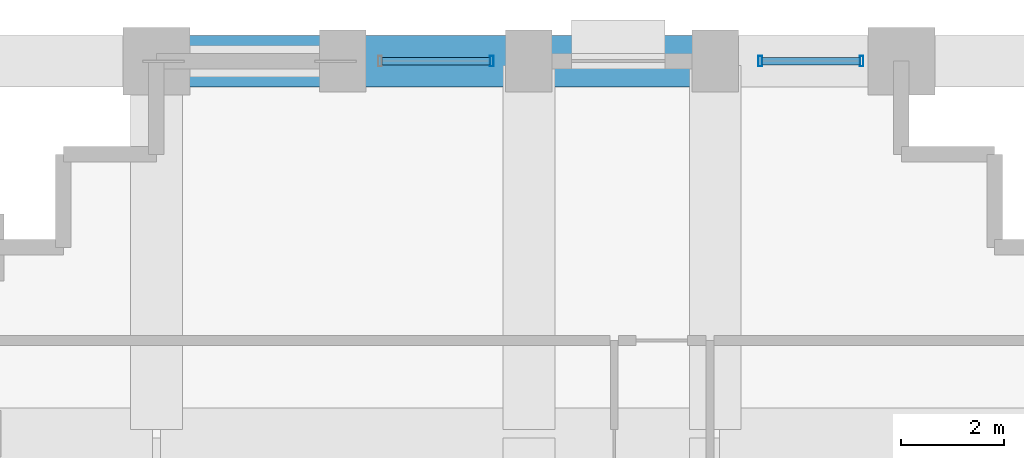
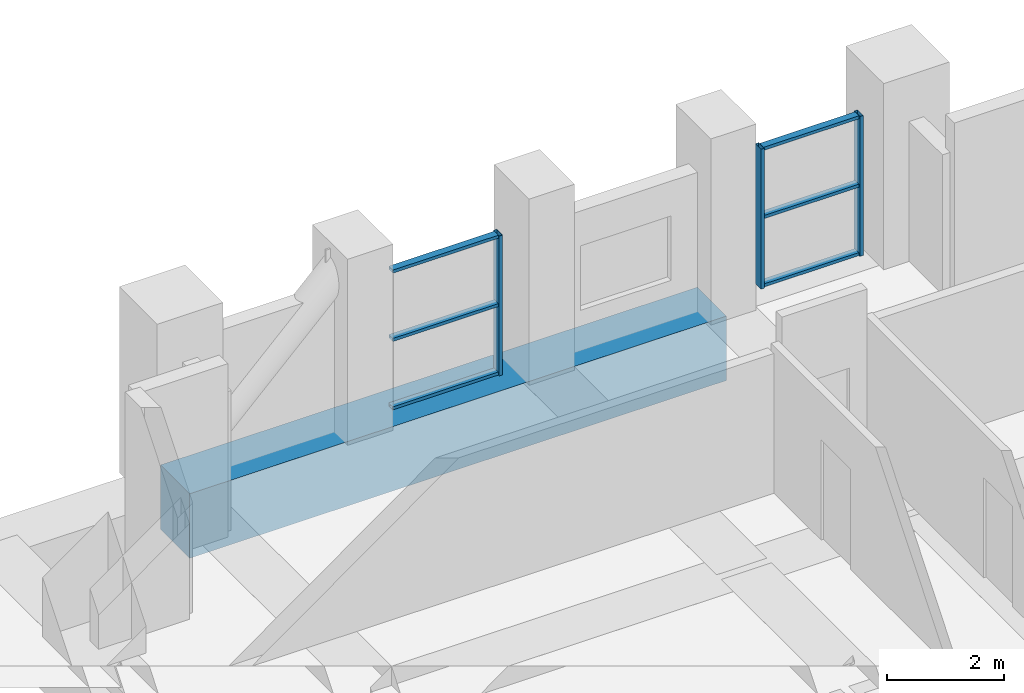
# One storey, part 29 of 39: 9 members, 1 beam, 2 elements without a shape of their own.
"""IFC4 building model written with IfcOpenShell, lengths in metres."""

import ifcopenshell
import ifcopenshell.guid

model = None  # the IFC model being written
_history = None  # IfcOwnerHistory: only IFC2X3 demands one
_inside = {}  # id of a spatial element -> (the spatial element, [elements in it])
_under = {}  # id of a project, library or spatial element -> (it, [spatial elements below it])
_declared = {}  # id of a project -> (the project, [libraries it declares])
_typed = {}  # id of a type object -> (the type object, [elements of that type])
_made_of = {}  # id of a material, layer set ... -> (it, [elements and type objects made of it])


def new_model(schema):
    """Start an empty IFC model of exactly this schema.

    Asked for "IFC4X3", IfcOpenShell would pick the latest addendum, in which some entities
    have other attributes; the version numbers below select the first issue.
    IFC2X3 requires an IfcOwnerHistory on every rooted entity: one is made here for all.
    """
    global model, _history
    if schema == "IFC4X3":
        model = ifcopenshell.file(schema_version=(4, 3, 0, 0))
    else:
        model = ifcopenshell.file(schema=schema)
    _inside.clear()
    _under.clear()
    _declared.clear()
    _typed.clear()
    _made_of.clear()
    _history = None
    if model.schema == "IFC2X3":
        org = make("IfcOrganization", Name="unknown")
        user = make(
            "IfcPersonAndOrganization",
            ThePerson=make("IfcPerson", FamilyName="unknown"),
            TheOrganization=org,
        )
        app = make(
            "IfcApplication",
            ApplicationDeveloper=org,
            Version="unknown",
            ApplicationFullName="unknown",
            ApplicationIdentifier="unknown",
        )
        _history = make(
            "IfcOwnerHistory",
            OwningUser=user,
            OwningApplication=app,
            ChangeAction="ADDED",
            CreationDate=0,
        )
    return model


def make(cls, **values):
    """One entity of the class cls with the attributes given. An attribute that is None is left unset."""
    return model.create_entity(
        cls, **{name: value for name, value in values.items() if value is not None}
    )


def rooted(cls, **values):
    """An entity with a GlobalId (a new one), such as an element, a storey or a relation."""
    return make(cls, GlobalId=ifcopenshell.guid.new(), OwnerHistory=_history, **values)


def si_unit(unit_type, name, prefix=None):
    """IfcSIUnit, for example si_unit("LENGTHUNIT", "METRE", prefix="MILLI")."""
    return make("IfcSIUnit", UnitType=unit_type, Prefix=prefix, Name=name)


def assignment(units):
    """IfcUnitAssignment: the units of a project."""
    return None if units is None else make("IfcUnitAssignment", Units=units)


def point(xyz):
    """IfcCartesianPoint."""
    return None if xyz is None else make("IfcCartesianPoint", Coordinates=xyz)


def direction(xyz):
    """IfcDirection."""
    return None if xyz is None else make("IfcDirection", DirectionRatios=xyz)


def frame(location, z_axis=None, x_axis=None):
    """IfcAxis2Placement3D, a coordinate frame: its origin and axes. An axis left out is left unset."""
    return make(
        "IfcAxis2Placement3D",
        Location=point(location),
        Axis=direction(z_axis),
        RefDirection=direction(x_axis),
    )


def frame_2d(location, x_axis=None):
    """IfcAxis2Placement2D, a coordinate frame in the plane: its origin and x axis."""
    return make(
        "IfcAxis2Placement2D", Location=point(location), RefDirection=direction(x_axis)
    )


def origin():
    """The frame at (0, 0, 0) with its axes left unset."""
    return frame((0.0, 0.0, 0.0))


def origin_2d():
    """The frame at (0, 0) in the plane with its x axis left unset."""
    return frame_2d((0.0, 0.0))


def place(relative_to, where):
    """IfcLocalPlacement: puts the frame where relative to a parent placement (None: the world)."""
    return make(
        "IfcLocalPlacement", PlacementRelTo=relative_to, RelativePlacement=where
    )


def context(
    kind, dimensions, precision=None, world=None, true_north=None, identifier=None
):
    """IfcGeometricRepresentationContext, for example the 3D "Model" context."""
    return make(
        "IfcGeometricRepresentationContext",
        ContextIdentifier=identifier,
        ContextType=kind,
        CoordinateSpaceDimension=dimensions,
        Precision=precision,
        WorldCoordinateSystem=world,
        TrueNorth=true_north,
    )


def subcontext(parent, identifier, kind, view, scale=None):
    """IfcGeometricRepresentationSubContext, for example "Body" below "Model"."""
    return make(
        "IfcGeometricRepresentationSubContext",
        ContextIdentifier=identifier,
        ContextType=kind,
        ParentContext=parent,
        TargetScale=scale,
        TargetView=view,
    )


def project(units=None, contexts=None):
    """IfcProject with its units and contexts."""
    return rooted(
        "IfcProject",
        Name="project",
        RepresentationContexts=contexts,
        UnitsInContext=assignment(units),
    )


def spatial(cls, under=None, at=None, **own):
    """A site, building, storey or space (cls), placed at a placement, below another one or the project."""
    s = rooted(cls, ObjectPlacement=at, **own)
    if under is not None:
        _under.setdefault(under.id(), (under, []))[1].append(s)
    return s


def profile(cls, at=None, kind="AREA", **sizes):
    """A parametric profile (cls). Its sizes go by their IFC names, for example OverallWidth=200.0."""
    return make(cls, ProfileType=kind, Position=at, **sizes)


def rectangle(**sizes):
    """IfcRectangleProfileDef."""
    return profile("IfcRectangleProfileDef", **sizes)


def hollow_rectangle(**sizes):
    """IfcRectangleHollowProfileDef."""
    return profile("IfcRectangleHollowProfileDef", **sizes)


def extrude(swept, where, along, depth):
    """IfcExtrudedAreaSolid: the profile swept, set in the frame where, extruded along a direction by depth."""
    return make(
        "IfcExtrudedAreaSolid",
        SweptArea=swept,
        Position=where,
        ExtrudedDirection=direction(along),
        Depth=depth,
    )


def shape(context_of_items, identifier, shape_type, items):
    """IfcShapeRepresentation: the items that make up one representation, for example the "Body"."""
    return make(
        "IfcShapeRepresentation",
        ContextOfItems=context_of_items,
        RepresentationIdentifier=identifier,
        RepresentationType=shape_type,
        Items=items,
    )


def material(Name=None, Category=None):
    """IfcMaterial."""
    return make("IfcMaterial", Name=Name, Category=Category)


def layer(
    of_material, thickness, ventilated=None, Name=None, Category=None, Priority=None
):
    """IfcMaterialLayer: one layer of a wall or slab, of a material (None: an air gap)."""
    return make(
        "IfcMaterialLayer",
        Material=of_material,
        LayerThickness=thickness,
        IsVentilated=ventilated,
        Name=Name,
        Category=Category,
        Priority=Priority,
    )


def layer_set(layers, Name=None):
    """IfcMaterialLayerSet."""
    return make("IfcMaterialLayerSet", MaterialLayers=layers, LayerSetName=Name)


def material_profile(
    of_material, cross_section, Name=None, Category=None, Priority=None
):
    """IfcMaterialProfile: a cross section and its material."""
    return make(
        "IfcMaterialProfile",
        Name=Name,
        Material=of_material,
        Profile=cross_section,
        Priority=Priority,
        Category=Category,
    )


def profile_set(profiles, Name=None, composite=None):
    """IfcMaterialProfileSet."""
    return make(
        "IfcMaterialProfileSet",
        Name=Name,
        MaterialProfiles=profiles,
        CompositeProfile=composite,
    )


def made_of(thing, what):
    """Note that an element or type object is made of a material, layer set ...; save() writes the relation."""
    if what is not None:
        _made_of.setdefault(what.id(), (what, []))[1].append(thing)
    return thing


def type_object(cls, material=None, **own):
    """A type object (cls), such as IfcWallType, which elements share."""
    return made_of(rooted(cls, **own), material)


def element(
    cls,
    number,
    at=None,
    inside=None,
    cuts=None,
    type_object=None,
    material=None,
    context=None,
    identifier="Body",
    shape_type=None,
    held_by="IfcProductDefinitionShape",
    body=None,
    shapes=None,
    **own,
):
    """One element of the class cls, such as IfcWall. Its Tag is "e" and its number.

    at: its placement. inside: the storey or other place that contains it. cuts: it is an
    opening in that element (IfcRelVoidsElement). A single representation is given by context,
    identifier, shape_type and body (its items); several are given by shapes. held_by: the class
    of the entity that holds the representations. save() writes the other relations.
    """
    e = rooted(cls, Tag="e%d" % number, ObjectPlacement=at, **own)
    if body is not None:
        shapes = [shape(context, identifier, shape_type, body)]
    if shapes is not None:
        e.Representation = make(held_by, Representations=shapes)
    if inside is not None:
        _inside.setdefault(inside.id(), (inside, []))[1].append(e)
    if cuts is not None:
        rooted(
            "IfcRelVoidsElement", RelatingBuildingElement=cuts, RelatedOpeningElement=e
        )
    if type_object is not None:
        _typed.setdefault(type_object.id(), (type_object, []))[1].append(e)
    return made_of(e, material)


def aggregate(whole, parts):
    """IfcRelAggregates: a whole, such as a stair, and the parts it consists of."""
    return rooted("IfcRelAggregates", RelatingObject=whole, RelatedObjects=parts)


def save(model, path):
    """Write the relations noted so far, then the file.

    IfcRelAggregates (storeys below a building ...), IfcRelContainedInSpatialStructure (elements
    in a storey), IfcRelDefinesByType, IfcRelAssociatesMaterial and IfcRelDeclares: one each for
    every whole, place, type object, material and project.
    """
    for whole, parts in _under.values():
        aggregate(whole, parts)
    for where, things in _inside.values():
        rooted(
            "IfcRelContainedInSpatialStructure",
            RelatedElements=things,
            RelatingStructure=where,
        )
    for kind, things in _typed.values():
        rooted("IfcRelDefinesByType", RelatedObjects=things, RelatingType=kind)
    for what, things in _made_of.values():
        rooted("IfcRelAssociatesMaterial", RelatedObjects=things, RelatingMaterial=what)
    for by, libraries in _declared.values():
        rooted("IfcRelDeclares", RelatingContext=by, RelatedDefinitions=libraries)
    model.write(path)


model = new_model("IFC4")

# Units and contexts
model_context = context("Model", 3, precision=1e-05, world=origin(), true_north=direction((0.0, 1.0)))
body_context = subcontext(model_context, "Body", "Model", "MODEL_VIEW")
ifc_project = project(units=[si_unit("LENGTHUNIT", "METRE"), si_unit("AREAUNIT", "SQUARE_METRE"), si_unit("VOLUMEUNIT", "CUBIC_METRE"), si_unit("PLANEANGLEUNIT", "RADIAN"), si_unit("MASSUNIT", "GRAM", prefix="KILO")], contexts=[model_context])

# Site, building, storey
site_placement = place(None, origin())
site = spatial("IfcSite", under=ifc_project, at=site_placement, CompositionType="ELEMENT")
building_placement = place(site_placement, origin())
building = spatial("IfcBuilding", under=site, at=building_placement, Name="Solnavia Interchange Tower", CompositionType="ELEMENT")
storey_placement = place(building_placement, frame((0.0, 0.0, 24.0)))
storey = spatial("IfcBuildingStorey", under=building, at=storey_placement, Name="L05", CompositionType="ELEMENT", Elevation=24.0)

# Beam
ifc_material_1 = material(Name="Concrete C60/75", Category="concrete")
ifc_material_profile_1 = material_profile(ifc_material_1, rectangle(XDim=1.0, YDim=1.35009765625, at=origin_2d()), Name="RC 1000x1350")
ifc_profile_set_1 = profile_set([ifc_material_profile_1], Name="Concrete C60/75")
beam_type = type_object("IfcBeamType", Name="Beam-Transfer-RC1000x1350", PredefinedType="BEAM", material=ifc_profile_set_1)
beam_placement = place(storey_placement, frame((10.8798828125, 50.39990234375, -0.675048828125), z_axis=(1.0, 0.0, 0.0), x_axis=(0.0, 1.0, 0.0)))
element("IfcBeam", 1, at=beam_placement, inside=storey, type_object=beam_type, Name="TRB-L05-28 North primary transfer girder", PredefinedType="BEAM", context=body_context, shape_type="SweptSolid", body=[
    extrude(rectangle(XDim=1.0, YDim=1.35009765625, at=origin_2d()), origin(), (0.0, 0.0, 1.0), 10.64013671875),
])

# Curtain wall, members
ifc_material_2 = material(Name="Aluminium Alloy 6063-T6", Category="aluminium")
ifc_layer = layer(ifc_material_2, 0.219970703125)
ifc_layer_set = layer_set([ifc_layer], Name="Aluminium Alloy 6063-T6")
curtain_wall_type = type_object("IfcCurtainWallType", Name="CurtainWall-Tower-CTW3", PredefinedType="NOTDEFINED", material=ifc_layer_set)
curtain_wall_1_placement = place(storey_placement, origin())
curtain_wall_1 = element("IfcCurtainWall", 2, at=curtain_wall_1_placement, inside=storey, type_object=curtain_wall_type, Name="CTW-L05-S42 CTW-3 curtain wall", PredefinedType="NOTDEFINED")
ifc_material_profile_2 = material_profile(ifc_material_2, hollow_rectangle(XDim=0.070068359375, YDim=0.199951171875, WallThickness=0.0048828125, at=origin_2d()), Name="ALU 200x70x5")
ifc_profile_set_2 = profile_set([ifc_material_profile_2], Name="Aluminium Alloy 6063-T6")
member_type_1 = type_object("IfcMemberType", Name="CW-Mullion-CWM-3", PredefinedType="MULLION", material=ifc_profile_set_2)
member_1_placement = place(storey_placement, frame((24.429931640625, 50.39990234375, 0.0), z_axis=(0.0, 0.0, 1.0), x_axis=(-1.0, 0.0, 0.0)))
member_1 = element("IfcMember", 3, at=member_1_placement, type_object=member_type_1, Name="CTW-3 mullion 1", PredefinedType="MULLION", context=body_context, shape_type="SweptSolid", body=[
    extrude(hollow_rectangle(XDim=0.070068359375, YDim=0.199951171875, WallThickness=0.0048828125, at=origin_2d()), origin(), (0.0, 0.0, 1.0), 2.929931640625),
])
member_2_placement = place(storey_placement, frame((22.469970703125, 50.39990234375, 0.0), z_axis=(0.0, 0.0, 1.0), x_axis=(-1.0, 0.0, 0.0)))
member_2 = element("IfcMember", 4, at=member_2_placement, type_object=member_type_1, Name="CTW-3 mullion 2", PredefinedType="MULLION", context=body_context, shape_type="SweptSolid", body=[
    extrude(hollow_rectangle(XDim=0.070068359375, YDim=0.199951171875, WallThickness=0.0048828125, at=origin_2d()), origin(), (0.0, 0.0, 1.0), 2.929931640625),
])

# Curtain wall, member
curtain_wall_2_placement = place(storey_placement, origin())
curtain_wall_2 = element("IfcCurtainWall", 5, at=curtain_wall_2_placement, inside=storey, type_object=curtain_wall_type, Name="CTW-L05-S44 CTW-3 curtain wall", PredefinedType="NOTDEFINED")
member_3_placement = place(storey_placement, frame((17.280029296875, 50.39990234375, 0.0), z_axis=(0.0, 0.0, 1.0), x_axis=(-1.0, 0.0, 0.0)))
member_3 = element("IfcMember", 6, at=member_3_placement, type_object=member_type_1, Name="CTW-3 mullion 1", PredefinedType="MULLION", context=body_context, shape_type="SweptSolid", body=[
    extrude(hollow_rectangle(XDim=0.070068359375, YDim=0.199951171875, WallThickness=0.0048828125, at=origin_2d()), origin(), (0.0, 0.0, 1.0), 2.929931640625),
])

# Member
ifc_material_profile_3 = material_profile(ifc_material_2, hollow_rectangle(XDim=0.06494140625, YDim=0.139892578125, WallThickness=0.00390625, at=origin_2d()), Name="ALU 140x65x4")
ifc_profile_set_3 = profile_set([ifc_material_profile_3], Name="Aluminium Alloy 6063-T6")
member_type_2 = type_object("IfcMemberType", Name="CW-Transom-CWT-3", PredefinedType="USERDEFINED", material=ifc_profile_set_3)
member_4_placement = place(storey_placement, frame((24.39501953125, 50.39990234375, 0.032470703125), z_axis=(-1.0, 0.0, 0.0), x_axis=(0.0, 0.0, 1.0)))
member_4 = element("IfcMember", 7, at=member_4_placement, type_object=member_type_2, Name="CTW-3 transom 1.1", ObjectType="TRANSOM", PredefinedType="USERDEFINED", context=body_context, shape_type="SweptSolid", body=[
    extrude(hollow_rectangle(XDim=0.06494140625, YDim=0.139892578125, WallThickness=0.00390625, at=origin_2d()), origin(), (0.0, 0.0, 1.0), 1.89013671875),
])

member_5_placement = place(storey_placement, frame((24.39501953125, 50.39990234375, 1.465087890625), z_axis=(-1.0, 0.0, 0.0), x_axis=(0.0, 0.0, 1.0)))
member_5 = element("IfcMember", 8, at=member_5_placement, type_object=member_type_2, Name="CTW-3 transom 1.2", ObjectType="TRANSOM", PredefinedType="USERDEFINED", context=body_context, shape_type="SweptSolid", body=[
    extrude(hollow_rectangle(XDim=0.06494140625, YDim=0.139892578125, WallThickness=0.00390625, at=origin_2d()), origin(), (0.0, 0.0, 1.0), 1.89013671875),
])

member_6_placement = place(storey_placement, frame((24.39501953125, 50.39990234375, 2.8974609375), z_axis=(-1.0, 0.0, 0.0), x_axis=(0.0, 0.0, 1.0)))
member_6 = element("IfcMember", 9, at=member_6_placement, type_object=member_type_2, Name="CTW-3 transom 1.3", ObjectType="TRANSOM", PredefinedType="USERDEFINED", context=body_context, shape_type="SweptSolid", body=[
    extrude(hollow_rectangle(XDim=0.06494140625, YDim=0.139892578125, WallThickness=0.00390625, at=origin_2d()), origin(), (0.0, 0.0, 1.0), 1.89013671875),
])

aggregate(curtain_wall_1, [member_1, member_2, member_4, member_5, member_6])

member_7_placement = place(storey_placement, frame((17.2451171875, 50.39990234375, 0.032470703125), z_axis=(-1.0, 0.0, 0.0), x_axis=(0.0, 0.0, 1.0)))
member_7 = element("IfcMember", 10, at=member_7_placement, type_object=member_type_2, Name="CTW-3 transom 1.1", ObjectType="TRANSOM", PredefinedType="USERDEFINED", context=body_context, shape_type="SweptSolid", body=[
    extrude(hollow_rectangle(XDim=0.06494140625, YDim=0.139892578125, WallThickness=0.00390625, at=origin_2d()), origin(), (0.0, 0.0, 1.0), 2.090087890625),
])

member_8_placement = place(storey_placement, frame((17.2451171875, 50.39990234375, 1.465087890625), z_axis=(-1.0, 0.0, 0.0), x_axis=(0.0, 0.0, 1.0)))
member_8 = element("IfcMember", 11, at=member_8_placement, type_object=member_type_2, Name="CTW-3 transom 1.2", ObjectType="TRANSOM", PredefinedType="USERDEFINED", context=body_context, shape_type="SweptSolid", body=[
    extrude(hollow_rectangle(XDim=0.06494140625, YDim=0.139892578125, WallThickness=0.00390625, at=origin_2d()), origin(), (0.0, 0.0, 1.0), 2.090087890625),
])

member_9_placement = place(storey_placement, frame((17.2451171875, 50.39990234375, 2.8974609375), z_axis=(-1.0, 0.0, 0.0), x_axis=(0.0, 0.0, 1.0)))
member_9 = element("IfcMember", 12, at=member_9_placement, type_object=member_type_2, Name="CTW-3 transom 1.3", ObjectType="TRANSOM", PredefinedType="USERDEFINED", context=body_context, shape_type="SweptSolid", body=[
    extrude(hollow_rectangle(XDim=0.06494140625, YDim=0.139892578125, WallThickness=0.00390625, at=origin_2d()), origin(), (0.0, 0.0, 1.0), 2.090087890625),
])

aggregate(curtain_wall_2, [member_3, member_7, member_8, member_9])

save(model, "model.ifc")
